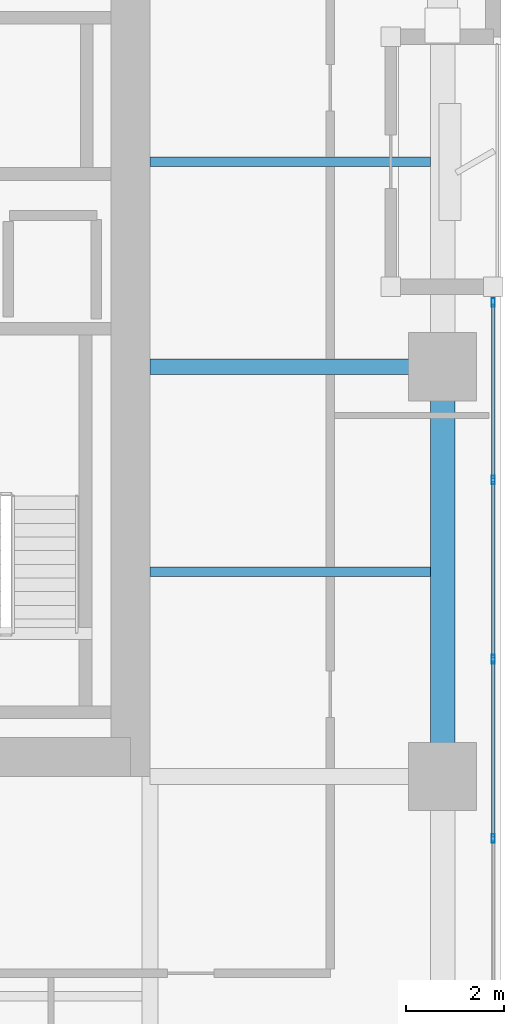
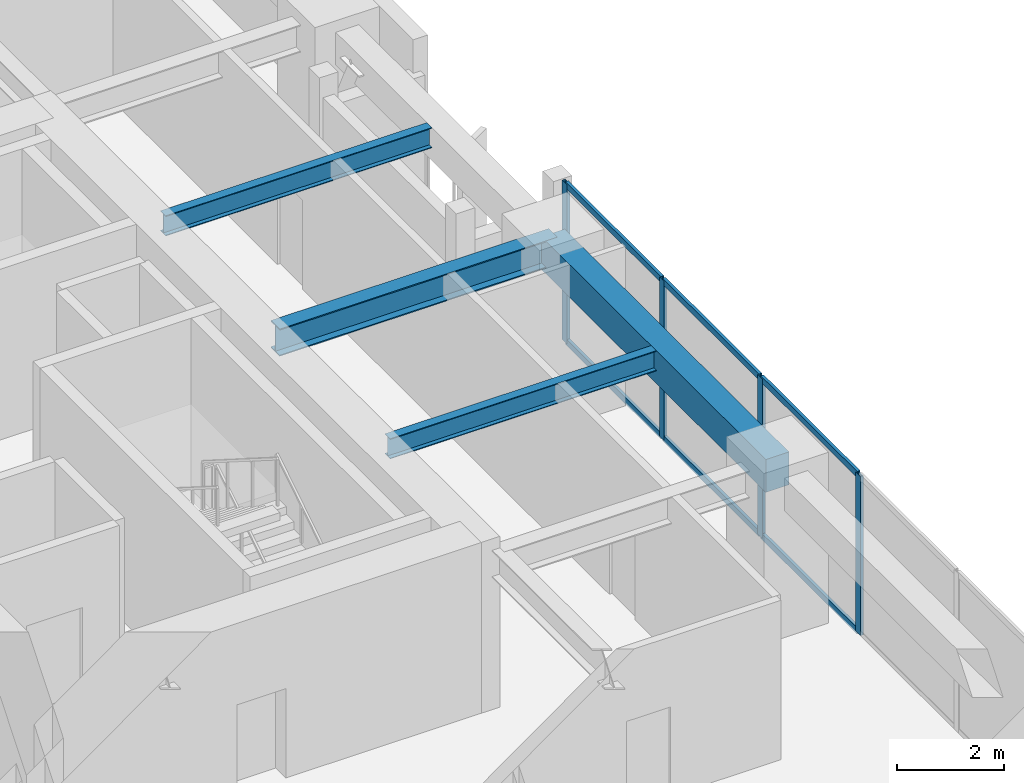
# One storey, part 6 of 24: 10 members, 4 beams, 1 element without a shape of its own.
"""IFC4 building model written with IfcOpenShell, lengths in metres."""

import ifcopenshell
import ifcopenshell.guid

model = None  # the IFC model being written
_history = None  # IfcOwnerHistory: only IFC2X3 demands one
_inside = {}  # id of a spatial element -> (the spatial element, [elements in it])
_under = {}  # id of a project, library or spatial element -> (it, [spatial elements below it])
_declared = {}  # id of a project -> (the project, [libraries it declares])
_typed = {}  # id of a type object -> (the type object, [elements of that type])
_made_of = {}  # id of a material, layer set ... -> (it, [elements and type objects made of it])


def new_model(schema):
    """Start an empty IFC model of exactly this schema.

    Asked for "IFC4X3", IfcOpenShell would pick the latest addendum, in which some entities
    have other attributes; the version numbers below select the first issue.
    IFC2X3 requires an IfcOwnerHistory on every rooted entity: one is made here for all.
    """
    global model, _history
    if schema == "IFC4X3":
        model = ifcopenshell.file(schema_version=(4, 3, 0, 0))
    else:
        model = ifcopenshell.file(schema=schema)
    _inside.clear()
    _under.clear()
    _declared.clear()
    _typed.clear()
    _made_of.clear()
    _history = None
    if model.schema == "IFC2X3":
        org = make("IfcOrganization", Name="unknown")
        user = make(
            "IfcPersonAndOrganization",
            ThePerson=make("IfcPerson", FamilyName="unknown"),
            TheOrganization=org,
        )
        app = make(
            "IfcApplication",
            ApplicationDeveloper=org,
            Version="unknown",
            ApplicationFullName="unknown",
            ApplicationIdentifier="unknown",
        )
        _history = make(
            "IfcOwnerHistory",
            OwningUser=user,
            OwningApplication=app,
            ChangeAction="ADDED",
            CreationDate=0,
        )
    return model


def make(cls, **values):
    """One entity of the class cls with the attributes given. An attribute that is None is left unset."""
    return model.create_entity(
        cls, **{name: value for name, value in values.items() if value is not None}
    )


def rooted(cls, **values):
    """An entity with a GlobalId (a new one), such as an element, a storey or a relation."""
    return make(cls, GlobalId=ifcopenshell.guid.new(), OwnerHistory=_history, **values)


def si_unit(unit_type, name, prefix=None):
    """IfcSIUnit, for example si_unit("LENGTHUNIT", "METRE", prefix="MILLI")."""
    return make("IfcSIUnit", UnitType=unit_type, Prefix=prefix, Name=name)


def assignment(units):
    """IfcUnitAssignment: the units of a project."""
    return None if units is None else make("IfcUnitAssignment", Units=units)


def point(xyz):
    """IfcCartesianPoint."""
    return None if xyz is None else make("IfcCartesianPoint", Coordinates=xyz)


def direction(xyz):
    """IfcDirection."""
    return None if xyz is None else make("IfcDirection", DirectionRatios=xyz)


def frame(location, z_axis=None, x_axis=None):
    """IfcAxis2Placement3D, a coordinate frame: its origin and axes. An axis left out is left unset."""
    return make(
        "IfcAxis2Placement3D",
        Location=point(location),
        Axis=direction(z_axis),
        RefDirection=direction(x_axis),
    )


def frame_2d(location, x_axis=None):
    """IfcAxis2Placement2D, a coordinate frame in the plane: its origin and x axis."""
    return make(
        "IfcAxis2Placement2D", Location=point(location), RefDirection=direction(x_axis)
    )


def origin():
    """The frame at (0, 0, 0) with its axes left unset."""
    return frame((0.0, 0.0, 0.0))


def origin_2d():
    """The frame at (0, 0) in the plane with its x axis left unset."""
    return frame_2d((0.0, 0.0))


def place(relative_to, where):
    """IfcLocalPlacement: puts the frame where relative to a parent placement (None: the world)."""
    return make(
        "IfcLocalPlacement", PlacementRelTo=relative_to, RelativePlacement=where
    )


def context(
    kind, dimensions, precision=None, world=None, true_north=None, identifier=None
):
    """IfcGeometricRepresentationContext, for example the 3D "Model" context."""
    return make(
        "IfcGeometricRepresentationContext",
        ContextIdentifier=identifier,
        ContextType=kind,
        CoordinateSpaceDimension=dimensions,
        Precision=precision,
        WorldCoordinateSystem=world,
        TrueNorth=true_north,
    )


def subcontext(parent, identifier, kind, view, scale=None):
    """IfcGeometricRepresentationSubContext, for example "Body" below "Model"."""
    return make(
        "IfcGeometricRepresentationSubContext",
        ContextIdentifier=identifier,
        ContextType=kind,
        ParentContext=parent,
        TargetScale=scale,
        TargetView=view,
    )


def project(units=None, contexts=None):
    """IfcProject with its units and contexts."""
    return rooted(
        "IfcProject",
        Name="project",
        RepresentationContexts=contexts,
        UnitsInContext=assignment(units),
    )


def spatial(cls, under=None, at=None, **own):
    """A site, building, storey or space (cls), placed at a placement, below another one or the project."""
    s = rooted(cls, ObjectPlacement=at, **own)
    if under is not None:
        _under.setdefault(under.id(), (under, []))[1].append(s)
    return s


def profile(cls, at=None, kind="AREA", **sizes):
    """A parametric profile (cls). Its sizes go by their IFC names, for example OverallWidth=200.0."""
    return make(cls, ProfileType=kind, Position=at, **sizes)


def rectangle(**sizes):
    """IfcRectangleProfileDef."""
    return profile("IfcRectangleProfileDef", **sizes)


def hollow_rectangle(**sizes):
    """IfcRectangleHollowProfileDef."""
    return profile("IfcRectangleHollowProfileDef", **sizes)


def i_section(**sizes):
    """IfcIShapeProfileDef."""
    return profile("IfcIShapeProfileDef", **sizes)


def extrude(swept, where, along, depth):
    """IfcExtrudedAreaSolid: the profile swept, set in the frame where, extruded along a direction by depth."""
    return make(
        "IfcExtrudedAreaSolid",
        SweptArea=swept,
        Position=where,
        ExtrudedDirection=direction(along),
        Depth=depth,
    )


def shape(context_of_items, identifier, shape_type, items):
    """IfcShapeRepresentation: the items that make up one representation, for example the "Body"."""
    return make(
        "IfcShapeRepresentation",
        ContextOfItems=context_of_items,
        RepresentationIdentifier=identifier,
        RepresentationType=shape_type,
        Items=items,
    )


def material(Name=None, Category=None):
    """IfcMaterial."""
    return make("IfcMaterial", Name=Name, Category=Category)


def layer(
    of_material, thickness, ventilated=None, Name=None, Category=None, Priority=None
):
    """IfcMaterialLayer: one layer of a wall or slab, of a material (None: an air gap)."""
    return make(
        "IfcMaterialLayer",
        Material=of_material,
        LayerThickness=thickness,
        IsVentilated=ventilated,
        Name=Name,
        Category=Category,
        Priority=Priority,
    )


def layer_set(layers, Name=None):
    """IfcMaterialLayerSet."""
    return make("IfcMaterialLayerSet", MaterialLayers=layers, LayerSetName=Name)


def material_profile(
    of_material, cross_section, Name=None, Category=None, Priority=None
):
    """IfcMaterialProfile: a cross section and its material."""
    return make(
        "IfcMaterialProfile",
        Name=Name,
        Material=of_material,
        Profile=cross_section,
        Priority=Priority,
        Category=Category,
    )


def profile_set(profiles, Name=None, composite=None):
    """IfcMaterialProfileSet."""
    return make(
        "IfcMaterialProfileSet",
        Name=Name,
        MaterialProfiles=profiles,
        CompositeProfile=composite,
    )


def made_of(thing, what):
    """Note that an element or type object is made of a material, layer set ...; save() writes the relation."""
    if what is not None:
        _made_of.setdefault(what.id(), (what, []))[1].append(thing)
    return thing


def type_object(cls, material=None, **own):
    """A type object (cls), such as IfcWallType, which elements share."""
    return made_of(rooted(cls, **own), material)


def element(
    cls,
    number,
    at=None,
    inside=None,
    cuts=None,
    type_object=None,
    material=None,
    context=None,
    identifier="Body",
    shape_type=None,
    held_by="IfcProductDefinitionShape",
    body=None,
    shapes=None,
    **own,
):
    """One element of the class cls, such as IfcWall. Its Tag is "e" and its number.

    at: its placement. inside: the storey or other place that contains it. cuts: it is an
    opening in that element (IfcRelVoidsElement). A single representation is given by context,
    identifier, shape_type and body (its items); several are given by shapes. held_by: the class
    of the entity that holds the representations. save() writes the other relations.
    """
    e = rooted(cls, Tag="e%d" % number, ObjectPlacement=at, **own)
    if body is not None:
        shapes = [shape(context, identifier, shape_type, body)]
    if shapes is not None:
        e.Representation = make(held_by, Representations=shapes)
    if inside is not None:
        _inside.setdefault(inside.id(), (inside, []))[1].append(e)
    if cuts is not None:
        rooted(
            "IfcRelVoidsElement", RelatingBuildingElement=cuts, RelatedOpeningElement=e
        )
    if type_object is not None:
        _typed.setdefault(type_object.id(), (type_object, []))[1].append(e)
    return made_of(e, material)


def aggregate(whole, parts):
    """IfcRelAggregates: a whole, such as a stair, and the parts it consists of."""
    return rooted("IfcRelAggregates", RelatingObject=whole, RelatedObjects=parts)


def save(model, path):
    """Write the relations noted so far, then the file.

    IfcRelAggregates (storeys below a building ...), IfcRelContainedInSpatialStructure (elements
    in a storey), IfcRelDefinesByType, IfcRelAssociatesMaterial and IfcRelDeclares: one each for
    every whole, place, type object, material and project.
    """
    for whole, parts in _under.values():
        aggregate(whole, parts)
    for where, things in _inside.values():
        rooted(
            "IfcRelContainedInSpatialStructure",
            RelatedElements=things,
            RelatingStructure=where,
        )
    for kind, things in _typed.values():
        rooted("IfcRelDefinesByType", RelatedObjects=things, RelatingType=kind)
    for what, things in _made_of.values():
        rooted("IfcRelAssociatesMaterial", RelatedObjects=things, RelatingMaterial=what)
    for by, libraries in _declared.values():
        rooted("IfcRelDeclares", RelatingContext=by, RelatedDefinitions=libraries)
    model.write(path)


model = new_model("IFC4")

# Units and contexts
model_context = context("Model", 3, precision=1e-05, world=origin(), true_north=direction((0.0, 1.0)))
body_context = subcontext(model_context, "Body", "Model", "MODEL_VIEW")
ifc_project = project(units=[si_unit("LENGTHUNIT", "METRE"), si_unit("AREAUNIT", "SQUARE_METRE"), si_unit("VOLUMEUNIT", "CUBIC_METRE"), si_unit("PLANEANGLEUNIT", "RADIAN"), si_unit("MASSUNIT", "GRAM", prefix="KILO")], contexts=[model_context])

# Site, building, storey
site_placement = place(None, origin())
site = spatial("IfcSite", under=ifc_project, at=site_placement, CompositionType="ELEMENT")
building_placement = place(site_placement, origin())
building = spatial("IfcBuilding", under=site, at=building_placement, Name="Kiyonajd Concourse Tower", CompositionType="ELEMENT")
storey_placement = place(building_placement, frame((0.0, 0.0, 109.199951171875)))
storey = spatial("IfcBuildingStorey", under=building, at=storey_placement, Name="L28", CompositionType="ELEMENT", Elevation=109.199951171875)

# Beams
ifc_material_1 = material(Name="Steel ASTM A992 Grade 50", Category="steel")
ifc_material_profile_1 = material_profile(ifc_material_1, i_section(OverallWidth=0.19189453125, OverallDepth=0.462890625, WebThickness=0.010498046875, FlangeThickness=0.017578125, at=origin_2d()), Name="W460X89")
ifc_profile_set_1 = profile_set([ifc_material_profile_1], Name="Steel ASTM A992 Grade 50")
beam_type_1 = type_object("IfcBeamType", Name="BM-JST-460B", PredefinedType="JOIST", material=ifc_profile_set_1)
for number, where, z_axis, x_axis, name in (
    (1, (63.60009765625, 31.800048828125, 3.408447265625), (1.0, 0.0, 0.0), (0.0, 1.0, 0.0), "L28 East Secondary Floor Joist"),
    (2, (63.60009765625, 40.199951171875, 3.408447265625), (1.0, 0.0, 0.0), (0.0, 1.0, 0.0), "L28 East Secondary Floor Joist"),
):
    element("IfcBeam", number, at=place(storey_placement, frame(where, z_axis=z_axis, x_axis=x_axis)), inside=storey, type_object=beam_type_1, Name=name, PredefinedType="JOIST", context=body_context, shape_type="SweptSolid", body=[
        extrude(i_section(OverallWidth=0.19189453125, OverallDepth=0.462890625, WebThickness=0.010498046875, FlangeThickness=0.017578125, at=origin_2d()), origin(), (0.0, 0.0, 1.0), 5.75),
    ])
ifc_material_2 = material(Name="Precast concrete C50/60", Category="concrete")
ifc_material_profile_2 = material_profile(ifc_material_2, rectangle(XDim=0.5, YDim=0.75, at=origin_2d()), Name="RCBM-500x750")
ifc_profile_set_2 = profile_set([ifc_material_profile_2], Name="Precast concrete C50/60")
beam_type_2 = type_object("IfcBeamType", Name="BM-SPAN-RC", PredefinedType="SPANDREL", material=ifc_profile_set_2)
beam_1_placement = place(storey_placement, frame((69.60009765625, 27.60009765625, 3.26513671875), z_axis=(0.0, 1.0, 0.0), x_axis=(-1.0, 0.0, 0.0)))
element("IfcBeam", 3, at=beam_1_placement, inside=storey, type_object=beam_type_2, Name="L28 Perimeter Bundled Tube Spandrel", PredefinedType="SPANDREL", context=body_context, shape_type="SweptSolid", body=[
    extrude(rectangle(XDim=0.5, YDim=0.75, at=origin_2d()), origin(), (0.0, 0.0, 1.0), 8.39990234375),
])
ifc_material_profile_3 = material_profile(ifc_material_1, i_section(OverallWidth=0.326904296875, OverallDepth=0.6220703125, WebThickness=0.015380859375, FlangeThickness=0.0244140625, at=origin_2d()), Name="W610X195")
ifc_profile_set_3 = profile_set([ifc_material_profile_3], Name="Steel ASTM A992 Grade 50")
beam_type_3 = type_object("IfcBeamType", Name="BM-TWR-610A", PredefinedType="BEAM", material=ifc_profile_set_3)
beam_2_placement = place(storey_placement, frame((63.60009765625, 36.0, 3.3291015625), z_axis=(1.0, 0.0, 0.0), x_axis=(0.0, 1.0, 0.0)))
element("IfcBeam", 4, at=beam_2_placement, inside=storey, type_object=beam_type_3, Name="L28 East Lease Girder", PredefinedType="BEAM", context=body_context, shape_type="SweptSolid", body=[
    extrude(i_section(OverallWidth=0.326904296875, OverallDepth=0.6220703125, WebThickness=0.015380859375, FlangeThickness=0.0244140625, at=origin_2d()), origin(), (0.0, 0.0, 1.0), 6.0),
])

# Curtain wall, members
ifc_material_3 = material(Name="Thermally Broken Anodised Aluminium", Category="aluminium")
ifc_layer = layer(ifc_material_3, 0.179931640625)
ifc_layer_set = layer_set([ifc_layer], Name="Thermally Broken Anodised Aluminium")
curtain_wall_type = type_object("IfcCurtainWallType", Name="CW-SYS-03", PredefinedType="NOTDEFINED", material=ifc_layer_set)
curtain_wall_placement = place(storey_placement, origin())
curtain_wall = element("IfcCurtainWall", 5, at=curtain_wall_placement, inside=storey, type_object=curtain_wall_type, Name="L28 Unitised Curtain Wall CW3", PredefinedType="NOTDEFINED")
ifc_material_profile_4 = material_profile(ifc_material_3, hollow_rectangle(XDim=0.06494140625, YDim=0.179931640625, WallThickness=0.00390625, at=origin_2d()), Name="MULL-65x180")
ifc_profile_set_4 = profile_set([ifc_material_profile_4], Name="Thermally Broken Anodised Aluminium")
member_type_1 = type_object("IfcMemberType", Name="MB-CW-MULL1", PredefinedType="MULLION", material=ifc_profile_set_4)
member_1_placement = place(storey_placement, frame((70.639892578125, 37.3173828125, 0.0), z_axis=(0.0, 0.0, 1.0), x_axis=(1.0, 0.0, 0.0)))
member_1 = element("IfcMember", 6, at=member_1_placement, type_object=member_type_1, Name="CW3 mullion 1", PredefinedType="MULLION", context=body_context, shape_type="SweptSolid", body=[
    extrude(hollow_rectangle(XDim=0.06494140625, YDim=0.179931640625, WallThickness=0.00390625, at=origin_2d()), origin(), (0.0, 0.0, 1.0), 3.64013671875),
])
member_2_placement = place(storey_placement, frame((70.639892578125, 33.6767578125, 0.0), z_axis=(0.0, 0.0, 1.0), x_axis=(1.0, 0.0, 0.0)))
member_2 = element("IfcMember", 7, at=member_2_placement, type_object=member_type_1, Name="CW3 mullion 2", PredefinedType="MULLION", context=body_context, shape_type="SweptSolid", body=[
    extrude(hollow_rectangle(XDim=0.06494140625, YDim=0.179931640625, WallThickness=0.00390625, at=origin_2d()), origin(), (0.0, 0.0, 1.0), 3.64013671875),
])
member_3_placement = place(storey_placement, frame((70.639892578125, 30.003662109375, 0.0), z_axis=(0.0, 0.0, 1.0), x_axis=(1.0, 0.0, 0.0)))
member_3 = element("IfcMember", 8, at=member_3_placement, type_object=member_type_1, Name="CW3 mullion 3", PredefinedType="MULLION", context=body_context, shape_type="SweptSolid", body=[
    extrude(hollow_rectangle(XDim=0.06494140625, YDim=0.179931640625, WallThickness=0.00390625, at=origin_2d()), origin(), (0.0, 0.0, 1.0), 3.64013671875),
])
member_4_placement = place(storey_placement, frame((70.639892578125, 26.33056640625, 0.0), z_axis=(0.0, 0.0, 1.0), x_axis=(1.0, 0.0, 0.0)))
member_4 = element("IfcMember", 9, at=member_4_placement, type_object=member_type_1, Name="CW3 mullion 4", PredefinedType="MULLION", context=body_context, shape_type="SweptSolid", body=[
    extrude(hollow_rectangle(XDim=0.06494140625, YDim=0.179931640625, WallThickness=0.00390625, at=origin_2d()), origin(), (0.0, 0.0, 1.0), 3.64013671875),
])
ifc_material_profile_5 = material_profile(ifc_material_3, hollow_rectangle(XDim=0.06494140625, YDim=0.139892578125, WallThickness=0.00390625, at=origin_2d()), Name="TRAN-65x140")
ifc_profile_set_5 = profile_set([ifc_material_profile_5], Name="Thermally Broken Anodised Aluminium")
member_type_2 = type_object("IfcMemberType", Name="MB-CW-TRAN1", PredefinedType="USERDEFINED", material=ifc_profile_set_5)
member_5_placement = place(storey_placement, frame((70.639892578125, 37.284912109375, 0.032470703125), z_axis=(0.0, -1.0, 0.0), x_axis=(1.0, 0.0, 0.0)))
member_5 = element("IfcMember", 10, at=member_5_placement, type_object=member_type_2, Name="CW3 transom 1.1", ObjectType="TRANSOM", PredefinedType="USERDEFINED", context=body_context, shape_type="SweptSolid", body=[
    extrude(hollow_rectangle(XDim=0.06494140625, YDim=0.139892578125, WallThickness=0.00390625, at=origin_2d()), origin(), (0.0, 0.0, 1.0), 3.57568359375),
])
member_6_placement = place(storey_placement, frame((70.639892578125, 37.284912109375, 3.607666015625), z_axis=(0.0, -1.0, 0.0), x_axis=(1.0, 0.0, 0.0)))
member_6 = element("IfcMember", 11, at=member_6_placement, type_object=member_type_2, Name="CW3 transom 1.2", ObjectType="TRANSOM", PredefinedType="USERDEFINED", context=body_context, shape_type="SweptSolid", body=[
    extrude(hollow_rectangle(XDim=0.06494140625, YDim=0.139892578125, WallThickness=0.00390625, at=origin_2d()), origin(), (0.0, 0.0, 1.0), 3.57568359375),
])
member_7_placement = place(storey_placement, frame((70.639892578125, 33.644287109375, 0.032470703125), z_axis=(0.0, -1.0, 0.0), x_axis=(1.0, 0.0, 0.0)))
member_7 = element("IfcMember", 12, at=member_7_placement, type_object=member_type_2, Name="CW3 transom 2.1", ObjectType="TRANSOM", PredefinedType="USERDEFINED", context=body_context, shape_type="SweptSolid", body=[
    extrude(hollow_rectangle(XDim=0.06494140625, YDim=0.139892578125, WallThickness=0.00390625, at=origin_2d()), origin(), (0.0, 0.0, 1.0), 3.608154296875),
])
member_8_placement = place(storey_placement, frame((70.639892578125, 33.644287109375, 3.607666015625), z_axis=(0.0, -1.0, 0.0), x_axis=(1.0, 0.0, 0.0)))
member_8 = element("IfcMember", 13, at=member_8_placement, type_object=member_type_2, Name="CW3 transom 2.2", ObjectType="TRANSOM", PredefinedType="USERDEFINED", context=body_context, shape_type="SweptSolid", body=[
    extrude(hollow_rectangle(XDim=0.06494140625, YDim=0.139892578125, WallThickness=0.00390625, at=origin_2d()), origin(), (0.0, 0.0, 1.0), 3.608154296875),
])
member_9_placement = place(storey_placement, frame((70.639892578125, 29.97119140625, 0.032470703125), z_axis=(0.0, -1.0, 0.0), x_axis=(1.0, 0.0, 0.0)))
member_9 = element("IfcMember", 14, at=member_9_placement, type_object=member_type_2, Name="CW3 transom 3.1", ObjectType="TRANSOM", PredefinedType="USERDEFINED", context=body_context, shape_type="SweptSolid", body=[
    extrude(hollow_rectangle(XDim=0.06494140625, YDim=0.139892578125, WallThickness=0.00390625, at=origin_2d()), origin(), (0.0, 0.0, 1.0), 3.608154296875),
])
member_10_placement = place(storey_placement, frame((70.639892578125, 29.97119140625, 3.607666015625), z_axis=(0.0, -1.0, 0.0), x_axis=(1.0, 0.0, 0.0)))
member_10 = element("IfcMember", 15, at=member_10_placement, type_object=member_type_2, Name="CW3 transom 3.2", ObjectType="TRANSOM", PredefinedType="USERDEFINED", context=body_context, shape_type="SweptSolid", body=[
    extrude(hollow_rectangle(XDim=0.06494140625, YDim=0.139892578125, WallThickness=0.00390625, at=origin_2d()), origin(), (0.0, 0.0, 1.0), 3.608154296875),
])
aggregate(curtain_wall, [member_1, member_2, member_3, member_4, member_5, member_6, member_7, member_8, member_9, member_10])

save(model, "model.ifc")
